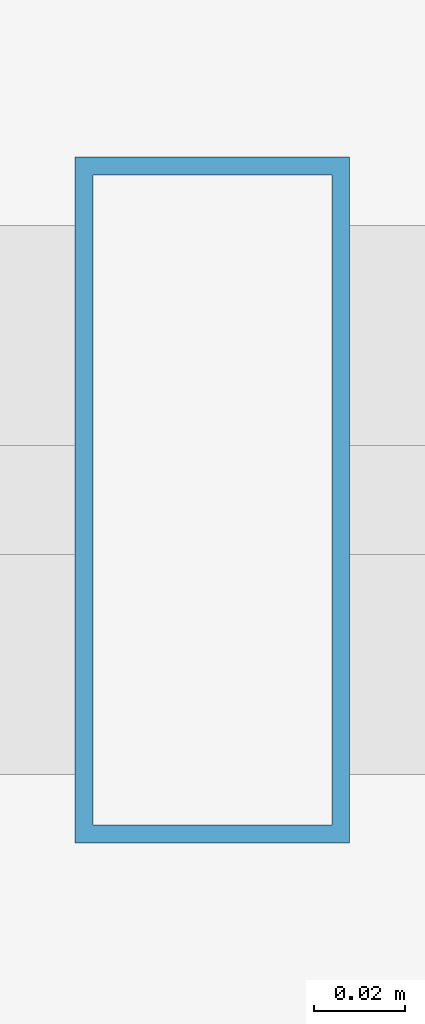
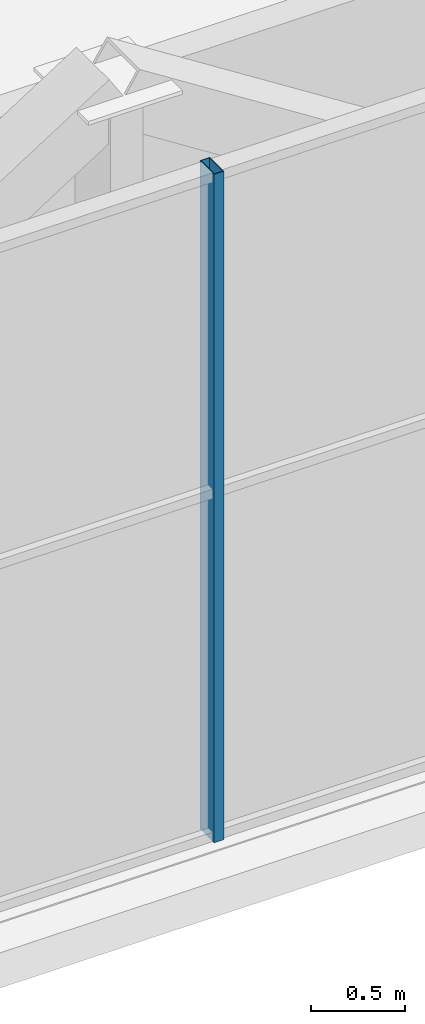
# One storey, part 8 of 28: 1 member, 1 element without a shape of its own.
"""IFC4 building model written with IfcOpenShell, lengths in metres."""

from ifc_helpers import new_model, si_unit, direction, frame, origin, origin_2d, place, context, subcontext, project, spatial, hollow_rectangle, extrude, source, transform, mapped, material, layer, layer_set, material_profile, profile_set, type_object, element, aggregate, save


model = new_model("IFC4")

# Units and contexts
model_context = context("Model", 3, precision=1e-05, world=origin(), true_north=direction((0.0, 1.0)))
body_context = subcontext(model_context, "Body", "Model", "MODEL_VIEW")
ifc_project = project(units=[si_unit("LENGTHUNIT", "METRE"), si_unit("AREAUNIT", "SQUARE_METRE"), si_unit("VOLUMEUNIT", "CUBIC_METRE"), si_unit("PLANEANGLEUNIT", "RADIAN"), si_unit("MASSUNIT", "GRAM", prefix="KILO")], contexts=[model_context])

# Site, building, storey
site_placement = place(None, origin())
site = spatial("IfcSite", under=ifc_project, at=site_placement, CompositionType="ELEMENT")
building_placement = place(site_placement, origin())
building = spatial("IfcBuilding", under=site, at=building_placement, Name="Zarnakvel Exchange Tower", CompositionType="ELEMENT")
storey_placement = place(building_placement, frame((0.0, 0.0, 290.0)))
storey = spatial("IfcBuildingStorey", under=building, at=storey_placement, Name="Crown L81", CompositionType="ELEMENT", Elevation=290.0)

# Curtain wall, member
ifc_material = material(Name="Architectural Bronze Anodised Aluminium", Category="aluminium")
ifc_layer = layer(ifc_material, 0.14990234375)
ifc_layer_set = layer_set([ifc_layer], Name="Architectural Bronze Anodised Aluminium")
curtain_wall_type = type_object("IfcCurtainWallType", Name="CW-07", PredefinedType="NOTDEFINED", material=ifc_layer_set)
curtain_wall_placement = place(storey_placement, origin())
curtain_wall = element("IfcCurtainWall", 1, at=curtain_wall_placement, inside=storey, type_object=curtain_wall_type, Name="Crown L81 Curtain Wall CW-Crown L81-S (CW-07)", PredefinedType="NOTDEFINED")
ifc_material_profile = material_profile(ifc_material, hollow_rectangle(XDim=0.14990234375, YDim=0.06005859375, WallThickness=0.00390625, at=origin_2d()))
ifc_profile_set = profile_set([ifc_material_profile], Name="Architectural Bronze Anodised Aluminium")
member_type = type_object("IfcMemberType", Name="CWM-07", PredefinedType="MULLION", material=ifc_profile_set)
shared_shape = source(origin(), body_context, "Body", "SweptSolid", [
    extrude(hollow_rectangle(XDim=0.14990234375, YDim=0.06005859375, WallThickness=0.00390625, at=origin_2d()), origin(), (0.0, 0.0, 1.0), 4.360107421875),
])
member_placement = place(storey_placement, frame((0.0, -15.659912109375, 0.0), z_axis=(0.0, 0.0, 1.0), x_axis=(0.0, 1.0, 0.0)))
member = element("IfcMember", 2, at=member_placement, type_object=member_type, Name="CW-07 mullion 4", PredefinedType="MULLION", context=body_context, shape_type="MappedRepresentation", body=[
    mapped(shared_shape, transform((0.0, 0.0, 0.0), x_axis=(1.0, 0.0, 0.0), y_axis=(0.0, 1.0, 0.0), z_axis=(0.0, 0.0, 1.0), scale=1.0)),
])
aggregate(curtain_wall, [member])

save(model, "model.ifc")
